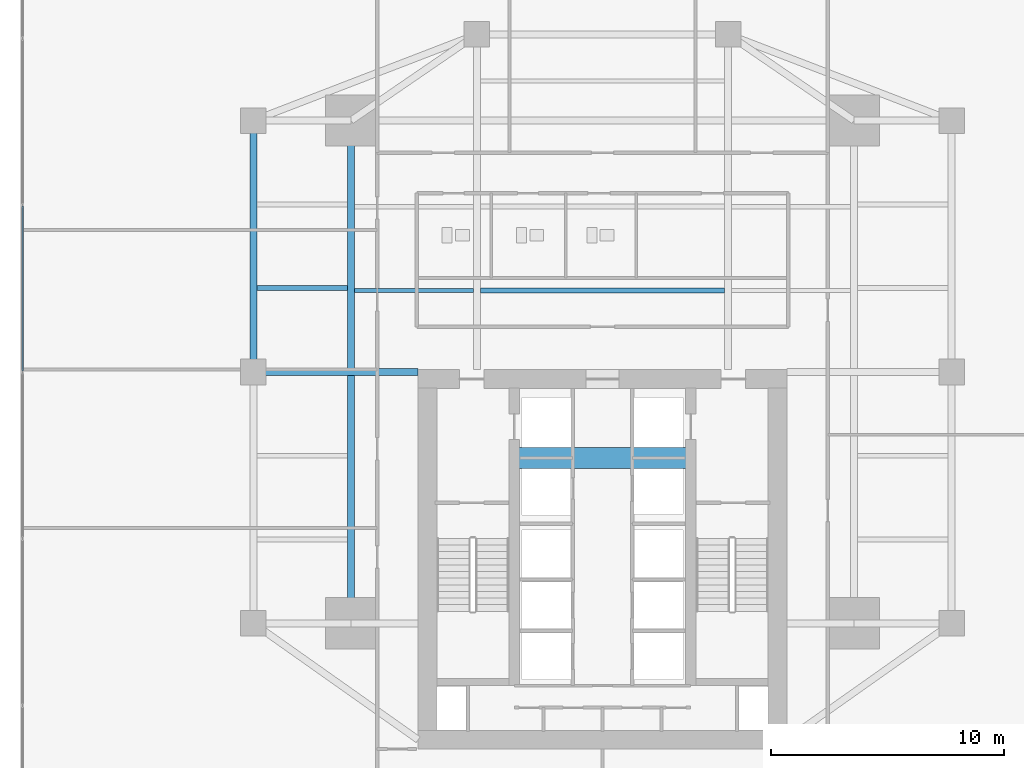
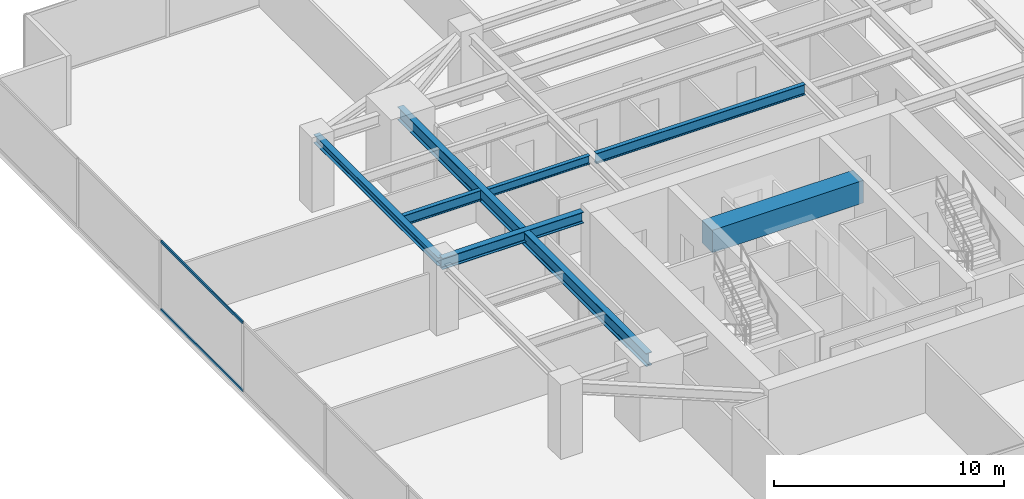
# One storey, part 9 of 28: 7 beams, 2 members, 1 element without a shape of its own.
"""IFC4 building model written with IfcOpenShell, lengths in metres."""

from ifc_helpers import new_model, si_unit, direction, frame, origin, origin_2d, place, context, subcontext, project, spatial, rectangle, hollow_rectangle, i_section, extrude, source, transform, mapped, material, material_profile, profile_set, type_object, type_shapes, element, aggregate, save


model = new_model("IFC4")

# Units and contexts
model_context = context("Model", 3, precision=1e-05, world=origin(), true_north=direction((0.0, 1.0)))
body_context = subcontext(model_context, "Body", "Model", "MODEL_VIEW")
ifc_project = project(units=[si_unit("LENGTHUNIT", "METRE"), si_unit("AREAUNIT", "SQUARE_METRE"), si_unit("VOLUMEUNIT", "CUBIC_METRE"), si_unit("PLANEANGLEUNIT", "RADIAN"), si_unit("MASSUNIT", "GRAM", prefix="KILO")], contexts=[model_context])

# Site, building, storey
site_placement = place(None, origin())
site = spatial("IfcSite", under=ifc_project, at=site_placement, CompositionType="ELEMENT")
building_placement = place(site_placement, origin())
building = spatial("IfcBuilding", under=site, at=building_placement, Name="Krantzveldt Concourse Tower", CompositionType="ELEMENT")
storey_placement = place(building_placement, frame((0.0, 0.0, 28.949951171875)))
storey = spatial("IfcBuildingStorey", under=building, at=storey_placement, Name="L06", CompositionType="ELEMENT", Elevation=28.949951171875)

# Beams
ifc_material_1 = material(Name="Concrete C50/60", Category="concrete")
ifc_material_profile_1 = material_profile(ifc_material_1, rectangle(XDim=0.89990234375, YDim=1.199951171875, at=origin_2d()), Name="Concrete C50/60", Category="concrete")
ifc_profile_set_1 = profile_set([ifc_material_profile_1], Name="Concrete C50/60 - RC-CB 900x1200")
beam_type_1 = type_object("IfcBeamType", Name="BM-CB-1200", PredefinedType="LINTEL", material=ifc_profile_set_1)
shared_shape_1 = source(origin(), body_context, "Body", "SweptSolid", [
    extrude(rectangle(XDim=0.89990234375, YDim=1.199951171875, at=origin_2d()), origin(), (0.0, 0.0, 1.0), 7.580078125),
])
type_shapes(beam_type_1, [shared_shape_1])
beam_1_placement = place(storey_placement, frame((32.2099609375, 23.0, 3.070068359375), z_axis=(1.0, 0.0, 0.0), x_axis=(0.0, 1.0, 0.0)))
element("IfcBeam", 1, at=beam_1_placement, inside=storey, type_object=beam_type_1, Name="CB-L06-01", PredefinedType="LINTEL", context=body_context, shape_type="MappedRepresentation", body=[
    mapped(shared_shape_1, transform((0.0, 0.0, 0.0), x_axis=(1.0, 0.0, 0.0), y_axis=(0.0, 1.0, 0.0), z_axis=(0.0, 0.0, 1.0), scale=1.0)),
])
ifc_material_2 = material(Name="Steel S355J2", Category="steel")
ifc_material_profile_2 = material_profile(ifc_material_2, i_section(OverallWidth=0.300048828125, OverallDepth=0.699951171875, WebThickness=0.01708984375, FlangeThickness=0.031982421875, FilletRadius=0.027099609375, at=origin_2d()), Name="Steel S355J2", Category="steel")
ifc_profile_set_2 = profile_set([ifc_material_profile_2], Name="Steel S355J2 - HEB 700")
beam_type_2 = type_object("IfcBeamType", Name="BM-B-HEB700", PredefinedType="BEAM", material=ifc_profile_set_2)
shared_shape_2 = source(origin(), body_context, "Body", "SweptSolid", [
    extrude(i_section(OverallWidth=0.300048828125, OverallDepth=0.699951171875, WebThickness=0.01708984375, FlangeThickness=0.031982421875, FilletRadius=0.027099609375, at=origin_2d()), origin(), (0.0, 0.0, 1.0), 21.60009765625),
])
type_shapes(beam_type_2, [shared_shape_2])
beam_2_placement = place(storey_placement, frame((25.199951171875, 15.89990234375, 3.320068359375), z_axis=(0.0, 1.0, 0.0), x_axis=(-1.0, 0.0, 0.0)))
element("IfcBeam", 2, at=beam_2_placement, inside=storey, type_object=beam_type_2, Name="L06 Tower Girder BG-MW", PredefinedType="BEAM", context=body_context, shape_type="MappedRepresentation", body=[
    mapped(shared_shape_2, transform((0.0, 0.0, 0.0), x_axis=(1.0, 0.0, 0.0), y_axis=(0.0, 1.0, 0.0), z_axis=(0.0, 0.0, 1.0), scale=1.0)),
])
ifc_material_3 = material(Name="Steel S355JR", Category="steel")
ifc_material_profile_3 = material_profile(ifc_material_3, i_section(OverallWidth=0.300048828125, OverallDepth=0.590087890625, WebThickness=0.012939453125, FlangeThickness=0.02490234375, FilletRadius=0.027099609375, at=origin_2d()), Name="Steel S355JR", Category="steel")
ifc_profile_set_3 = profile_set([ifc_material_profile_3], Name="Steel S355JR - HEA 600")
beam_type_3 = type_object("IfcBeamType", Name="BM-B-HEA600", PredefinedType="BEAM", material=ifc_profile_set_3)
shared_shape_3 = source(origin(), body_context, "Body", "SweptSolid", [
    extrude(i_section(OverallWidth=0.300048828125, OverallDepth=0.590087890625, WebThickness=0.012939453125, FlangeThickness=0.02490234375, FilletRadius=0.027099609375, at=origin_2d()), origin(), (0.0, 0.0, 1.0), 7.080078125),
])
type_shapes(beam_type_3, [shared_shape_3])
beam_3_placement = place(storey_placement, frame((21.0, 26.699951171875, 3.375), z_axis=(1.0, 0.0, 0.0), x_axis=(0.0, 1.0, 0.0)))
element("IfcBeam", 3, at=beam_3_placement, inside=storey, type_object=beam_type_3, Name="L06 Tower Girder BG-CW2", PredefinedType="BEAM", context=body_context, shape_type="MappedRepresentation", body=[
    mapped(shared_shape_3, transform((0.0, 0.0, 0.0), x_axis=(1.0, 0.0, 0.0), y_axis=(0.0, 1.0, 0.0), z_axis=(0.0, 0.0, 1.0), scale=1.0)),
])
ifc_material_profile_4 = material_profile(ifc_material_3, i_section(OverallWidth=0.300048828125, OverallDepth=0.43994140625, WebThickness=0.011474609375, FlangeThickness=0.02099609375, FilletRadius=0.027099609375, at=origin_2d()), Name="Steel S355JR", Category="steel")
ifc_profile_set_4 = profile_set([ifc_material_profile_4], Name="Steel S355JR - HEA 450")
beam_type_4 = type_object("IfcBeamType", Name="BM-SP-HEA450", PredefinedType="SPANDREL", material=ifc_profile_set_4)
shared_shape_4 = source(origin(), body_context, "Body", "SweptSolid", [
    extrude(i_section(OverallWidth=0.300048828125, OverallDepth=0.43994140625, WebThickness=0.011474609375, FlangeThickness=0.02099609375, FilletRadius=0.027099609375, at=origin_2d()), origin(), (0.0, 0.0, 1.0), 10.800048828125),
])
type_shapes(beam_type_4, [shared_shape_4])
beam_4_placement = place(storey_placement, frame((21.0, 26.699951171875, 3.449951171875), z_axis=(0.0, 1.0, 0.0), x_axis=(-1.0, 0.0, 0.0)))
element("IfcBeam", 4, at=beam_4_placement, inside=storey, type_object=beam_type_4, Name="L06 Tower Girder SP-R02", PredefinedType="SPANDREL", context=body_context, shape_type="MappedRepresentation", body=[
    mapped(shared_shape_4, transform((0.0, 0.0, 0.0), x_axis=(1.0, 0.0, 0.0), y_axis=(0.0, 1.0, 0.0), z_axis=(0.0, 0.0, 1.0), scale=1.0)),
])
ifc_material_profile_5 = material_profile(ifc_material_3, i_section(OverallWidth=0.2099609375, OverallDepth=0.550048828125, WebThickness=0.010986328125, FlangeThickness=0.01708984375, FilletRadius=0.02392578125, at=origin_2d()), Name="Steel S355JR", Category="steel")
ifc_profile_set_5 = profile_set([ifc_material_profile_5], Name="Steel S355JR - IPE 550")
beam_type_5 = type_object("IfcBeamType", Name="BM-J-IPE550", PredefinedType="JOIST", material=ifc_profile_set_5)
shared_shape_5 = source(origin(), body_context, "Body", "SweptSolid", [
    extrude(i_section(OverallWidth=0.2099609375, OverallDepth=0.550048828125, WebThickness=0.010986328125, FlangeThickness=0.01708984375, FilletRadius=0.02392578125, at=origin_2d()), origin(), (0.0, 0.0, 1.0), 10.5),
])
beam_5_placement = place(storey_placement, frame((30.75, 30.199951171875, 3.39501953125), z_axis=(1.0, 0.0, 0.0), x_axis=(0.0, 1.0, 0.0)))
element("IfcBeam", 5, at=beam_5_placement, inside=storey, type_object=beam_type_5, Name="L06 Secondary Floor Joist JN-C1", PredefinedType="JOIST", context=body_context, shape_type="MappedRepresentation", body=[
    mapped(shared_shape_5, transform((0.0, 0.0, 0.0), x_axis=(1.0, 0.0, 0.0), y_axis=(0.0, 1.0, 0.0), z_axis=(0.0, 0.0, 1.0), scale=1.0)),
])
ifc_material_profile_6 = material_profile(ifc_material_3, i_section(OverallWidth=0.18994140625, OverallDepth=0.449951171875, WebThickness=0.009521484375, FlangeThickness=0.0146484375, FilletRadius=0.02099609375, at=origin_2d()), Name="Steel S355JR", Category="steel")
ifc_profile_set_6 = profile_set([ifc_material_profile_6], Name="Steel S355JR - IPE 450")
beam_type_6 = type_object("IfcBeamType", Name="BM-J-IPE450", PredefinedType="JOIST", material=ifc_profile_set_6)
shared_shape_6 = source(origin(), body_context, "Body", "SweptSolid", [
    extrude(i_section(OverallWidth=0.18994140625, OverallDepth=0.449951171875, WebThickness=0.009521484375, FlangeThickness=0.0146484375, FilletRadius=0.02099609375, at=origin_2d()), origin(), (0.0, 0.0, 1.0), 5.099853515625),
])
type_shapes(beam_type_6, [shared_shape_6])
beam_6_placement = place(storey_placement, frame((25.35009765625, 30.199951171875, 3.445068359375), z_axis=(1.0, 0.0, 0.0), x_axis=(0.0, 1.0, 0.0)))
element("IfcBeam", 6, at=beam_6_placement, inside=storey, type_object=beam_type_6, Name="L06 Secondary Floor Joist JN-W1", PredefinedType="JOIST", context=body_context, shape_type="MappedRepresentation", body=[
    mapped(shared_shape_6, transform((0.0, 0.0, 0.0), x_axis=(1.0, 0.0, 0.0), y_axis=(0.0, 1.0, 0.0), z_axis=(0.0, 0.0, 1.0), scale=1.0)),
])
shared_shape_7 = source(origin(), body_context, "Body", "SweptSolid", [
    extrude(i_section(OverallWidth=0.2099609375, OverallDepth=0.550048828125, WebThickness=0.010986328125, FlangeThickness=0.01708984375, FilletRadius=0.02392578125, at=origin_2d()), origin(), (0.0, 0.0, 1.0), 3.900146484375),
])
type_shapes(beam_type_5, [shared_shape_5, shared_shape_7])
beam_7_placement = place(storey_placement, frame((21.14990234375, 30.300048828125, 3.39501953125), z_axis=(1.0, 0.0, 0.0), x_axis=(0.0, 1.0, 0.0)))
element("IfcBeam", 7, at=beam_7_placement, inside=storey, type_object=beam_type_5, Name="L06 Secondary Floor Joist JW-3", PredefinedType="JOIST", context=body_context, shape_type="MappedRepresentation", body=[
    mapped(shared_shape_7, transform((0.0, 0.0, 0.0), x_axis=(1.0, 0.0, 0.0), y_axis=(0.0, 1.0, 0.0), z_axis=(0.0, 0.0, 1.0), scale=1.0)),
])

# Curtain wall, members
ifc_material_4 = material(Name="Anodised aluminium 6063-T6", Category="aluminium")
curtain_wall_type = type_object("IfcCurtainWallType", Name="CW2", PredefinedType="USERDEFINED", material=ifc_material_4)
curtain_wall_placement = place(storey_placement, origin())
curtain_wall = element("IfcCurtainWall", 8, at=curtain_wall_placement, inside=storey, type_object=curtain_wall_type, Name="CW-L06-F01", ObjectType="UNITISED CURTAIN WALL", PredefinedType="USERDEFINED")
ifc_material_profile_7 = material_profile(ifc_material_4, hollow_rectangle(XDim=0.070068359375, YDim=0.139892578125, WallThickness=0.0048828125, at=origin_2d()), Name="Anodised aluminium 6063-T6", Category="aluminium")
ifc_profile_set_7 = profile_set([ifc_material_profile_7], Name="Anodised aluminium 6063-T6 - ALU-TRAN 140x70x5")
member_type = type_object("IfcMemberType", Name="CW-TRN-150", PredefinedType="USERDEFINED", material=ifc_profile_set_7)
shared_shape_8 = source(origin(), body_context, "Body", "SweptSolid", [
    extrude(hollow_rectangle(XDim=0.070068359375, YDim=0.139892578125, WallThickness=0.0048828125, at=origin_2d()), origin(), (0.0, 0.0, 1.0), 7.0966796875),
])
type_shapes(member_type, [shared_shape_8])
member_1_placement = place(storey_placement, frame((11.090087890625, 33.831787109375, 0.03515625), z_axis=(0.0, -1.0, 0.0), x_axis=(1.0, 0.0, 0.0)))
member_1 = element("IfcMember", 9, at=member_1_placement, type_object=member_type, Name="CW-Z12 transom 3.1", ObjectType="TRANSOM", PredefinedType="USERDEFINED", context=body_context, shape_type="MappedRepresentation", body=[
    mapped(shared_shape_8, transform((0.0, 0.0, 0.0), x_axis=(1.0, 0.0, 0.0), y_axis=(0.0, 1.0, 0.0), z_axis=(0.0, 0.0, 1.0), scale=1.0)),
])
member_2_placement = place(storey_placement, frame((11.090087890625, 33.831787109375, 3.635009765625), z_axis=(0.0, -1.0, 0.0), x_axis=(1.0, 0.0, 0.0)))
member_2 = element("IfcMember", 10, at=member_2_placement, type_object=member_type, Name="CW-Z12 transom 3.2", ObjectType="TRANSOM", PredefinedType="USERDEFINED", context=body_context, shape_type="MappedRepresentation", body=[
    mapped(shared_shape_8, transform((0.0, 0.0, 0.0), x_axis=(1.0, 0.0, 0.0), y_axis=(0.0, 1.0, 0.0), z_axis=(0.0, 0.0, 1.0), scale=1.0)),
])
aggregate(curtain_wall, [member_1, member_2])

save(model, "model.ifc")
